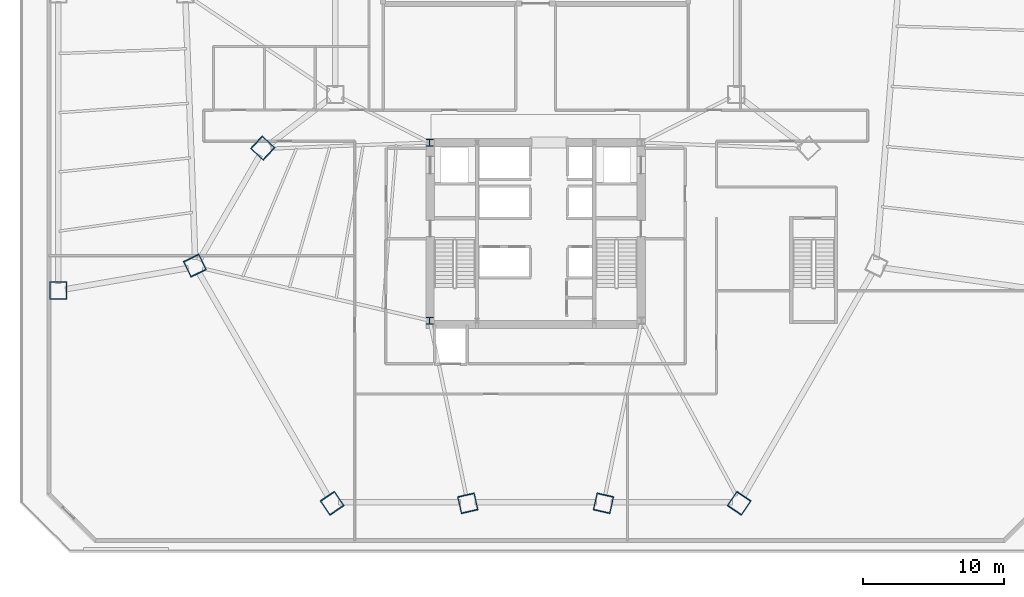
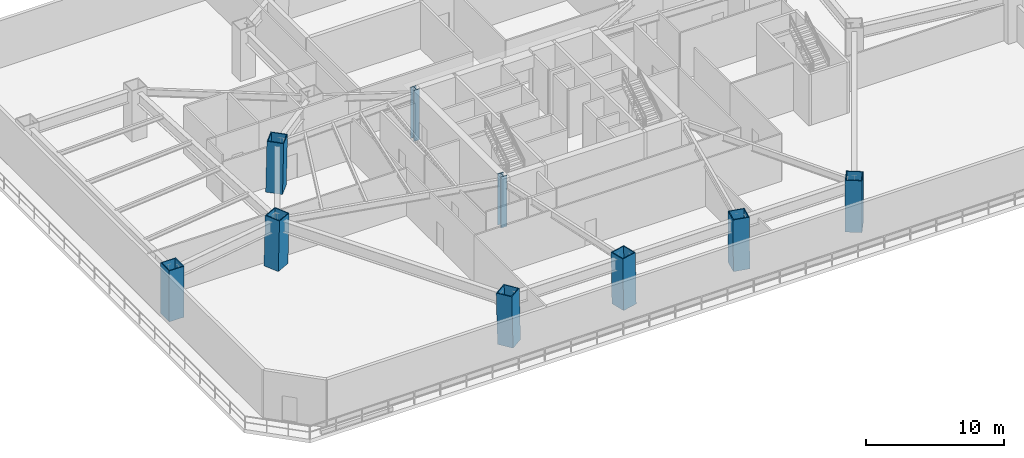
# One storey, part 1 of 13: 9 columns.
"""IFC4 building model written with IfcOpenShell, lengths in metres."""

from ifc_helpers import new_model, si_unit, direction, frame, origin, origin_2d, place, context, subcontext, project, spatial, hollow_rectangle, i_section, extrude, source, transform, mapped, material, material_profile, profile_set, type_object, type_shapes, element, save


model = new_model("IFC4")

# Units and contexts
model_context = context("Model", 3, precision=1e-05, world=origin(), true_north=direction((0.0, 1.0)))
body_context = subcontext(model_context, "Body", "Model", "MODEL_VIEW")
ifc_project = project(units=[si_unit("LENGTHUNIT", "METRE"), si_unit("AREAUNIT", "SQUARE_METRE"), si_unit("VOLUMEUNIT", "CUBIC_METRE"), si_unit("PLANEANGLEUNIT", "RADIAN"), si_unit("MASSUNIT", "GRAM", prefix="KILO")], contexts=[model_context])

# Site, building, storey
site_placement = place(None, origin())
site = spatial("IfcSite", under=ifc_project, at=site_placement, CompositionType="ELEMENT")
building_placement = place(site_placement, origin())
building = spatial("IfcBuilding", under=site, at=building_placement, Name="Caelisora Broadcast Tower", CompositionType="ELEMENT")
storey_placement = place(building_placement, frame((0.0, 0.0, 10.199951171875)))
storey = spatial("IfcBuildingStorey", under=building, at=storey_placement, Name="L02", CompositionType="ELEMENT", Elevation=10.199951171875)

# Columns
ifc_material_1 = material(Name="Steel Grade 350 (AS/NZS 3679.2)", Category="steel")
ifc_material_profile_1 = material_profile(ifc_material_1, i_section(OverallWidth=0.5, OverallDepth=0.5, WebThickness=0.028076171875, FlangeThickness=0.0400390625, at=origin_2d()), Name="Steel Grade 350 (AS/NZS 3679.2)")
ifc_profile_set_1 = profile_set([ifc_material_profile_1], Name="Steel Grade 350 (AS/NZS 3679.2)")
column_type_1 = type_object("IfcColumnType", Name="CC01", PredefinedType="COLUMN", material=ifc_profile_set_1)
shared_shape_1 = source(origin(), body_context, "Body", "SweptSolid", [
    extrude(i_section(OverallWidth=0.5, OverallDepth=0.5, WebThickness=0.028076171875, FlangeThickness=0.0400390625, at=origin_2d()), origin(), (0.0, 0.0, 1.0), 4.5),
])
type_shapes(column_type_1, [shared_shape_1])
for number, where, z_axis, x_axis, name in (
    (1, (30.5, 17.39990234375, 0.0), (0.0, 0.0, 1.0), (1.0, 0.0, 0.0), "L02 column CC01"),
    (2, (30.5, 30.0, 0.0), (0.0, 0.0, 1.0), (1.0, 0.0, 0.0), "L02 column CC01"),
):
    element("IfcColumn", number, at=place(storey_placement, frame(where, z_axis=z_axis, x_axis=x_axis)), inside=storey, type_object=column_type_1, Name=name, PredefinedType="COLUMN", context=body_context, shape_type="MappedRepresentation", body=[
        mapped(shared_shape_1, transform((0.0, 0.0, 0.0), scale=1.0)),
    ])
ifc_material_2 = material(Name="Steel Grade 350 L15 (AS/NZS 3678)", Category="steel")
ifc_material_profile_2 = material_profile(ifc_material_2, hollow_rectangle(XDim=1.25, YDim=1.25, WallThickness=0.070068359375, at=origin_2d()), Name="Steel Grade 350 L15 (AS/NZS 3678)")
ifc_profile_set_2 = profile_set([ifc_material_profile_2], Name="Steel Grade 350 L15 (AS/NZS 3678)")
column_type_2 = type_object("IfcColumnType", Name="MC02", PredefinedType="COLUMN", material=ifc_profile_set_2)
shared_shape_2 = source(origin(), body_context, "Body", "SweptSolid", [
    extrude(hollow_rectangle(XDim=1.25, YDim=1.25, WallThickness=0.070068359375, at=origin_2d()), origin(), (0.0, 0.0, 1.0), 4.501220703125),
])
for number, where, z_axis, x_axis, name in (
    (3, (13.874755859375, 21.30322265625, 0.0), (0.010413686595, -0.021532466552, 0.999713913085), (0.90024527341, 0.435383104521, 0.0), "L02 column MC02"),
    (4, (23.601806640625, 4.455322265625, 0.0), (-0.013451006786, 0.019796844666, 0.999713536648), (-0.827137189058, -0.562000062702, 0.0), "L02 column MC02"),
    (5, (52.398193359375, 4.455322265625, 0.0), (0.013451006786, 0.019796844666, 0.999713536648), (-0.827137189058, 0.562000062702, 0.0), "L02 column MC02"),
):
    element("IfcColumn", number, at=place(storey_placement, frame(where, z_axis=z_axis, x_axis=x_axis)), inside=storey, type_object=column_type_2, Name=name, PredefinedType="COLUMN", context=body_context, shape_type="MappedRepresentation", body=[
        mapped(shared_shape_2, transform((0.0, 0.0, 0.0), scale=1.0)),
    ])
shared_shape_3 = source(origin(), body_context, "Body", "SweptSolid", [
    extrude(hollow_rectangle(XDim=1.25, YDim=1.25, WallThickness=0.070068359375, at=origin_2d()), origin(), (0.0, 0.0, 1.0), 4.5009765625),
])
for number, where, z_axis, x_axis, name in (
    (6, (18.67431640625, 29.615966796875, 0.0), (0.014862398367, -0.013777551771, 0.999794623001), (0.679834893806, 0.733365200404, 0.0), "L02 column MC02"),
    (7, (33.20068359375, 4.455322265625, 0.0), (-0.004502109917, 0.019798435176, 0.999793855238), (-0.975106606077, -0.221736570697, 0.0), "L02 column MC02"),
    (8, (42.79931640625, 4.455322265625, 0.0), (0.004502109917, 0.019798435176, 0.999793855238), (-0.975106606077, 0.221736570697, 0.0), "L02 column MC02"),
):
    element("IfcColumn", number, at=place(storey_placement, frame(where, z_axis=z_axis, x_axis=x_axis)), inside=storey, type_object=column_type_2, Name=name, PredefinedType="COLUMN", context=body_context, shape_type="MappedRepresentation", body=[
        mapped(shared_shape_3, transform((0.0, 0.0, 0.0), scale=1.0)),
    ])
shared_shape_4 = source(origin(), body_context, "Body", "SweptSolid", [
    extrude(hollow_rectangle(XDim=1.25, YDim=1.25, WallThickness=0.070068359375, at=origin_2d()), origin(), (0.0, 0.0, 1.0), 4.5),
])
type_shapes(column_type_2, [shared_shape_2, shared_shape_3, shared_shape_4])
column_placement = place(storey_placement, frame((4.199951171875, 19.52587890625, 0.0), z_axis=(0.0, 0.0, 1.0), x_axis=(1.0, 0.0, 0.0)))
element("IfcColumn", 9, at=column_placement, inside=storey, type_object=column_type_2, Name="L02 column MC02", PredefinedType="COLUMN", context=body_context, shape_type="MappedRepresentation", body=[
    mapped(shared_shape_4, transform((0.0, 0.0, 0.0), scale=1.0)),
])

save(model, "model.ifc")
